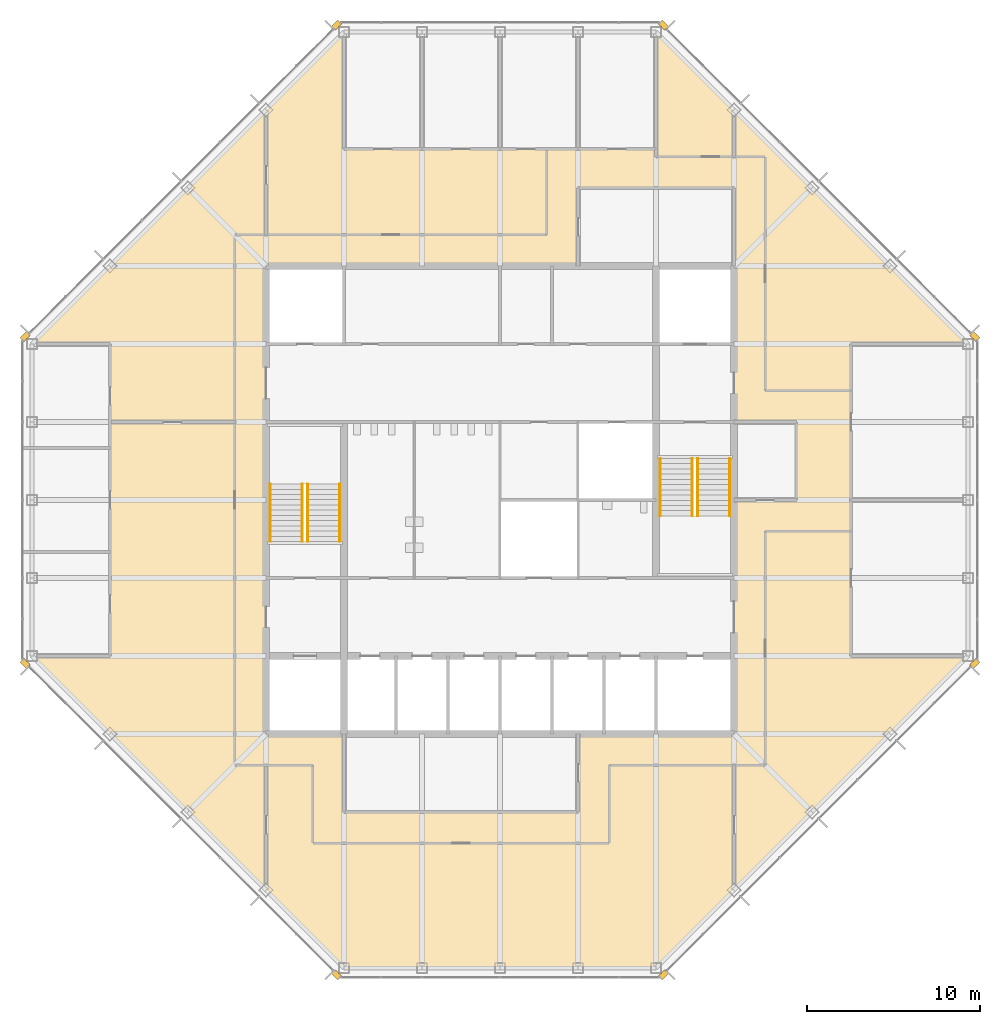
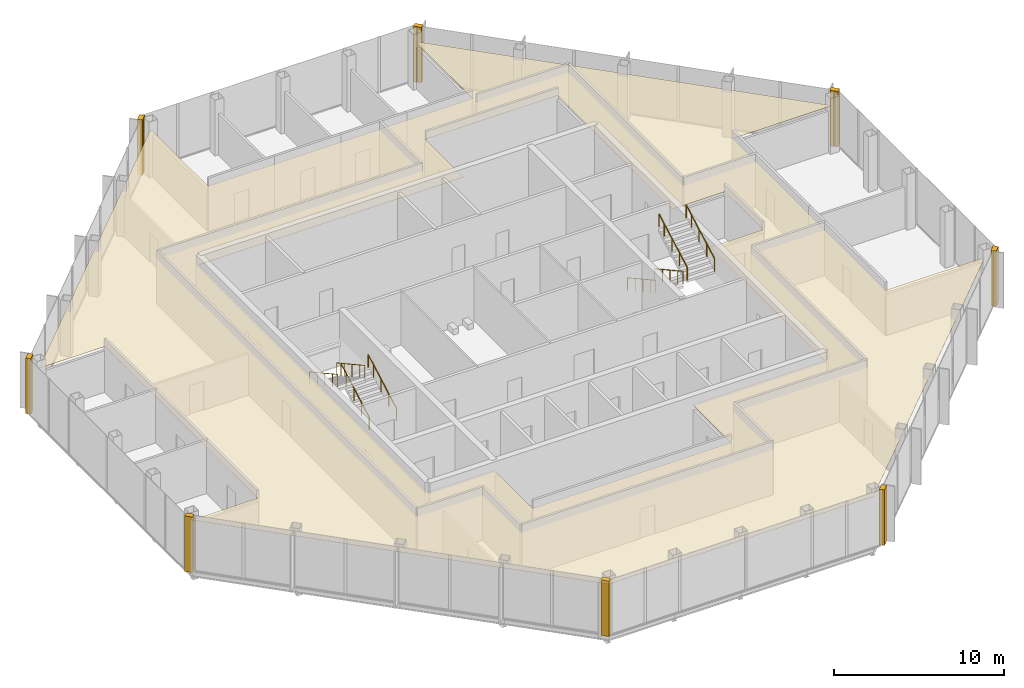
# One storey, part 13 of 14: 9 coverings, 8 railings.
"""IFC4 building model written with IfcOpenShell, lengths in metres."""

from ifc_helpers import new_model, si_unit, direction, frame, origin, origin_2d, place, context, subcontext, project, spatial, polyline, circle, outline, extrude, material, layer, layer_set, type_object, element, save


model = new_model("IFC4")

# Units and contexts
model_context = context("Model", 3, precision=1e-05, world=origin(), true_north=direction((0.0, 1.0)))
body_context = subcontext(model_context, "Body", "Model", "MODEL_VIEW")
ifc_project = project(units=[si_unit("LENGTHUNIT", "METRE"), si_unit("AREAUNIT", "SQUARE_METRE"), si_unit("VOLUMEUNIT", "CUBIC_METRE"), si_unit("PLANEANGLEUNIT", "RADIAN"), si_unit("MASSUNIT", "GRAM", prefix="KILO")], contexts=[model_context])

# Site, building, storey
site_placement = place(None, origin())
site = spatial("IfcSite", under=ifc_project, at=site_placement, CompositionType="ELEMENT")
building_placement = place(site_placement, origin())
building = spatial("IfcBuilding", under=site, at=building_placement, Name="Corais Broadcast Tower", CompositionType="ELEMENT")
storey_placement = place(building_placement, frame((0.0, 0.0, 286.60009765625)))
storey = spatial("IfcBuildingStorey", under=building, at=storey_placement, Name="L67", CompositionType="ELEMENT", Elevation=286.60009765625)

# Railings
ifc_material_1 = material(Name="Stainless steel handrail", Category="steel")
railing_type = type_object("IfcRailingType", Name="Handrail 920", PredefinedType="HANDRAIL", material=ifc_material_1)
for number, where, name in (
    (1, (17.75, 24.60009765625, 0.16650390625), "HR1 L67"),
    (2, (15.89990234375, 24.60009765625, 0.16650390625), "HR1 L67"),
):
    element("IfcRailing", number, at=place(storey_placement, frame(where)), inside=storey, type_object=railing_type, Name=name, PredefinedType="HANDRAIL", context=body_context, shape_type="SweptSolid", body=[
        extrude(circle(Radius=0.02392578125, at=origin_2d()), frame((0.0, 0.0, 0.89599609375), z_axis=(0.0, 0.875504475178, 0.483210010185), x_axis=(-1.0, 0.0, 0.0)), (0.0, 0.0, 1.0), 3.79443359375),
        extrude(circle(Radius=0.02099609375, at=origin_2d()), origin(), (0.0, 0.0, 1.0), 0.871826171875),
        extrude(circle(Radius=0.02099609375, at=origin_2d()), frame((0.0, 0.906005859375, 0.5)), (0.0, 0.0, 1.0), 0.871826171875),
        extrude(circle(Radius=0.02099609375, at=origin_2d()), frame((0.0, 1.81201171875, 1.0)), (0.0, 0.0, 1.0), 0.871826171875),
        extrude(circle(Radius=0.02099609375, at=origin_2d()), frame((0.0, 2.718017578125, 1.500244140625)), (0.0, 0.0, 1.0), 0.871826171875),
        extrude(circle(Radius=0.02099609375, at=origin_2d()), frame((0.0, 3.322021484375, 1.83349609375)), (0.0, 0.0, 1.0), 0.871826171875),
    ])
for number, where, name in (
    (3, (13.75, 27.922119140625, 2.16650390625), "HR1 L67"),
    (4, (15.60009765625, 27.922119140625, 2.16650390625), "HR1 L67"),
    (5, (36.25, 29.39990234375, 0.16650390625), "HR1 L67"),
    (6, (38.10009765625, 29.39990234375, 0.16650390625), "HR1 L67"),
):
    element("IfcRailing", number, at=place(storey_placement, frame(where)), inside=storey, type_object=railing_type, Name=name, PredefinedType="HANDRAIL", context=body_context, shape_type="SweptSolid", body=[
        extrude(circle(Radius=0.02392578125, at=origin_2d()), frame((0.0, 0.0, 0.89599609375), z_axis=(0.0, -0.875504475178, 0.483210010185), x_axis=(1.0, 0.0, 0.0)), (0.0, 0.0, 1.0), 3.79443359375),
        extrude(circle(Radius=0.02099609375, at=origin_2d()), origin(), (0.0, 0.0, 1.0), 0.871826171875),
        extrude(circle(Radius=0.02099609375, at=origin_2d()), frame((0.0, -0.906005859375, 0.5)), (0.0, 0.0, 1.0), 0.871826171875),
        extrude(circle(Radius=0.02099609375, at=origin_2d()), frame((0.0, -1.81201171875, 1.0)), (0.0, 0.0, 1.0), 0.871826171875),
        extrude(circle(Radius=0.02099609375, at=origin_2d()), frame((0.0, -2.718017578125, 1.500244140625)), (0.0, 0.0, 1.0), 0.871826171875),
        extrude(circle(Radius=0.02099609375, at=origin_2d()), frame((0.0, -3.322021484375, 1.83349609375)), (0.0, 0.0, 1.0), 0.871826171875),
    ])
for number, where, name in (
    (7, (40.25, 26.077880859375, 2.16650390625), "HR1 L67"),
    (8, (38.39990234375, 26.077880859375, 2.16650390625), "HR1 L67"),
):
    element("IfcRailing", number, at=place(storey_placement, frame(where)), inside=storey, type_object=railing_type, Name=name, PredefinedType="HANDRAIL", context=body_context, shape_type="SweptSolid", body=[
        extrude(circle(Radius=0.02392578125, at=origin_2d()), frame((0.0, 0.0, 0.89599609375), z_axis=(0.0, 0.875504475178, 0.483210010185), x_axis=(-1.0, 0.0, 0.0)), (0.0, 0.0, 1.0), 3.79443359375),
        extrude(circle(Radius=0.02099609375, at=origin_2d()), origin(), (0.0, 0.0, 1.0), 0.871826171875),
        extrude(circle(Radius=0.02099609375, at=origin_2d()), frame((0.0, 0.906005859375, 0.5)), (0.0, 0.0, 1.0), 0.871826171875),
        extrude(circle(Radius=0.02099609375, at=origin_2d()), frame((0.0, 1.81201171875, 1.0)), (0.0, 0.0, 1.0), 0.871826171875),
        extrude(circle(Radius=0.02099609375, at=origin_2d()), frame((0.0, 2.718017578125, 1.500244140625)), (0.0, 0.0, 1.0), 0.871826171875),
        extrude(circle(Radius=0.02099609375, at=origin_2d()), frame((0.0, 3.322021484375, 1.83349609375)), (0.0, 0.0, 1.0), 0.871826171875),
    ])

# Coverings
ifc_material_2 = material(Name="Granite stone cladding", Category="masonry")
ifc_layer_1 = layer(ifc_material_2, 0.324951171875)
ifc_layer_set_1 = layer_set([ifc_layer_1], Name="Granite stone cladding")
covering_type_1 = type_object("IfcCoveringType", Name="Stone corner pier cladding 500x325", PredefinedType="CLADDING", material=ifc_layer_set_1)
covering_1_placement = place(storey_placement, origin())
element("IfcCovering", 9, at=covering_1_placement, inside=storey, type_object=covering_type_1, Name="SP1 stone corner pier L67", PredefinedType="CLADDING", context=body_context, shape_type="SweptSolid", body=[
    extrude(outline(polyline([(17.860595703125, -0.461669921875), (17.72412109375, -0.324951171875), (17.675048828125, -0.324951171875), (17.675048828125, -0.27587890625), (17.507080078125, -0.108154296875), (17.277099609375, -0.337890625), (17.630859375, -0.69140625), (17.860595703125, -0.461669921875)])), origin(), (0.0, 0.0, 1.0), 4.0),
])
covering_2_placement = place(storey_placement, origin())
element("IfcCovering", 10, at=covering_2_placement, inside=storey, type_object=covering_type_1, Name="SP1 stone corner pier L67", PredefinedType="CLADDING", context=body_context, shape_type="SweptSolid", body=[
    extrude(outline(polyline([(-0.324951171875, 17.72412109375), (-0.461669921875, 17.860595703125), (-0.69140625, 17.630859375), (-0.337890625, 17.277099609375), (-0.108154296875, 17.507080078125), (-0.27587890625, 17.675048828125), (-0.324951171875, 17.675048828125), (-0.324951171875, 17.72412109375)])), origin(), (0.0, 0.0, 1.0), 4.0),
])
covering_3_placement = place(storey_placement, origin())
element("IfcCovering", 11, at=covering_3_placement, inside=storey, type_object=covering_type_1, Name="SP1 stone corner pier L67", PredefinedType="CLADDING", context=body_context, shape_type="SweptSolid", body=[
    extrude(outline(polyline([(-0.461669921875, 36.139404296875), (-0.324951171875, 36.27587890625), (-0.324951171875, 36.324951171875), (-0.27587890625, 36.324951171875), (-0.108154296875, 36.492919921875), (-0.337890625, 36.722900390625), (-0.69140625, 36.369140625), (-0.461669921875, 36.139404296875)])), origin(), (0.0, 0.0, 1.0), 4.0),
])
covering_4_placement = place(storey_placement, origin())
element("IfcCovering", 12, at=covering_4_placement, inside=storey, type_object=covering_type_1, Name="SP1 stone corner pier L67", PredefinedType="CLADDING", context=body_context, shape_type="SweptSolid", body=[
    extrude(outline(polyline([(17.72412109375, 54.324951171875), (17.860595703125, 54.461669921875), (17.630859375, 54.69140625), (17.277099609375, 54.337890625), (17.507080078125, 54.108154296875), (17.675048828125, 54.27587890625), (17.675048828125, 54.324951171875), (17.72412109375, 54.324951171875)])), origin(), (0.0, 0.0, 1.0), 4.0),
])
covering_5_placement = place(storey_placement, origin())
element("IfcCovering", 13, at=covering_5_placement, inside=storey, type_object=covering_type_1, Name="SP1 stone corner pier L67", PredefinedType="CLADDING", context=body_context, shape_type="SweptSolid", body=[
    extrude(outline(polyline([(36.139404296875, 54.461669921875), (36.27587890625, 54.324951171875), (36.324951171875, 54.324951171875), (36.324951171875, 54.27587890625), (36.492919921875, 54.108154296875), (36.722900390625, 54.337890625), (36.369140625, 54.69140625), (36.139404296875, 54.461669921875)])), origin(), (0.0, 0.0, 1.0), 4.0),
])
covering_6_placement = place(storey_placement, origin())
element("IfcCovering", 14, at=covering_6_placement, inside=storey, type_object=covering_type_1, Name="SP1 stone corner pier L67", PredefinedType="CLADDING", context=body_context, shape_type="SweptSolid", body=[
    extrude(outline(polyline([(54.324951171875, 36.27587890625), (54.461669921875, 36.139404296875), (54.69140625, 36.369140625), (54.337890625, 36.722900390625), (54.108154296875, 36.492919921875), (54.27587890625, 36.324951171875), (54.324951171875, 36.324951171875), (54.324951171875, 36.27587890625)])), origin(), (0.0, 0.0, 1.0), 4.0),
])
covering_7_placement = place(storey_placement, origin())
element("IfcCovering", 15, at=covering_7_placement, inside=storey, type_object=covering_type_1, Name="SP1 stone corner pier L67", PredefinedType="CLADDING", context=body_context, shape_type="SweptSolid", body=[
    extrude(outline(polyline([(54.461669921875, 17.860595703125), (54.324951171875, 17.72412109375), (54.324951171875, 17.675048828125), (54.27587890625, 17.675048828125), (54.108154296875, 17.507080078125), (54.337890625, 17.277099609375), (54.69140625, 17.630859375), (54.461669921875, 17.860595703125)])), origin(), (0.0, 0.0, 1.0), 4.0),
])
covering_8_placement = place(storey_placement, origin())
element("IfcCovering", 16, at=covering_8_placement, inside=storey, type_object=covering_type_1, Name="SP1 stone corner pier L67", PredefinedType="CLADDING", context=body_context, shape_type="SweptSolid", body=[
    extrude(outline(polyline([(36.27587890625, -0.324951171875), (36.139404296875, -0.461669921875), (36.369140625, -0.69140625), (36.722900390625, -0.337890625), (36.492919921875, -0.108154296875), (36.324951171875, -0.27587890625), (36.324951171875, -0.324951171875), (36.27587890625, -0.324951171875)])), origin(), (0.0, 0.0, 1.0), 4.0),
])
ifc_material_3 = material(Name="Mineral fibre ceiling tile", Category="mineral")
ifc_layer_2 = layer(ifc_material_3, 0.02001953125)
ifc_layer_set_2 = layer_set([ifc_layer_2], Name="Mineral fibre ceiling tile")
covering_type_2 = type_object("IfcCoveringType", Name="Suspended ceiling", PredefinedType="CEILING", material=ifc_layer_set_2)
covering_9_placement = place(storey_placement, frame((0.0, 0.0, 3.219970703125)))
element("IfcCovering", 17, at=covering_9_placement, inside=storey, type_object=covering_type_2, Name="CE1 ceiling L67", PredefinedType="CEILING", context=body_context, shape_type="SweptSolid", body=[
    extrude(outline(polyline([(13.5, 49.5), (18.0, 54.0), (18.0, 47.25), (36.0, 47.25), (36.0, 54.0), (54.0, 36.0), (47.25, 36.0), (47.25, 18.0), (54.0, 18.0), (40.500244140625, 4.500244140625), (36.0, 0.0), (18.0, 0.0), (13.501708984375, 4.498291015625), (13.50048828125, 4.49951171875), (13.499755859375, 4.500244140625), (0.0, 18.0), (4.5, 18.0), (4.5, 36.0), (0.0, 36.0), (13.5, 49.5)]), holes=[polyline([(44.10009765625, 27.0), (44.10009765625, 31.5), (40.5, 31.5), (40.5, 45.0), (31.5, 45.0), (31.5, 40.5), (13.5, 40.5), (13.5, 13.5), (18.0, 13.5), (18.0, 9.0), (31.5, 9.0), (31.5, 13.5), (40.5, 13.5), (40.5, 27.0), (44.10009765625, 27.0)])]), origin(), (0.0, 0.0, 1.0), 0.02001953125),
])

save(model, "model.ifc")
